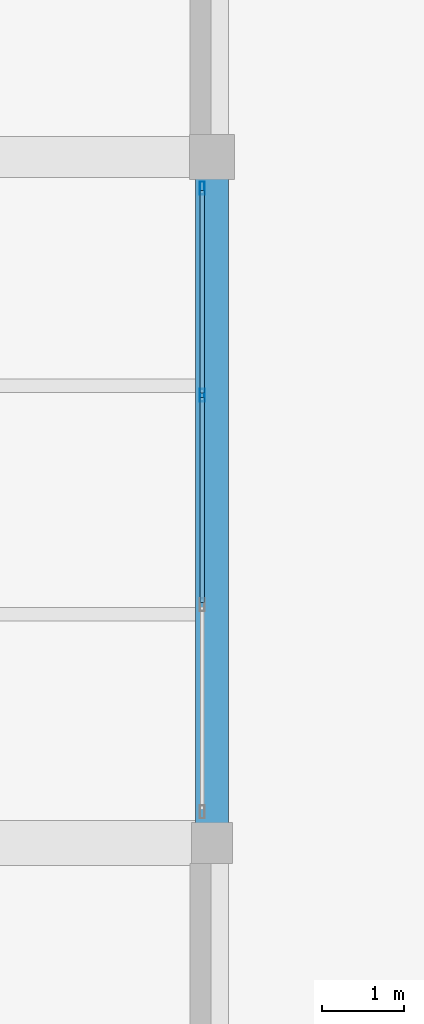
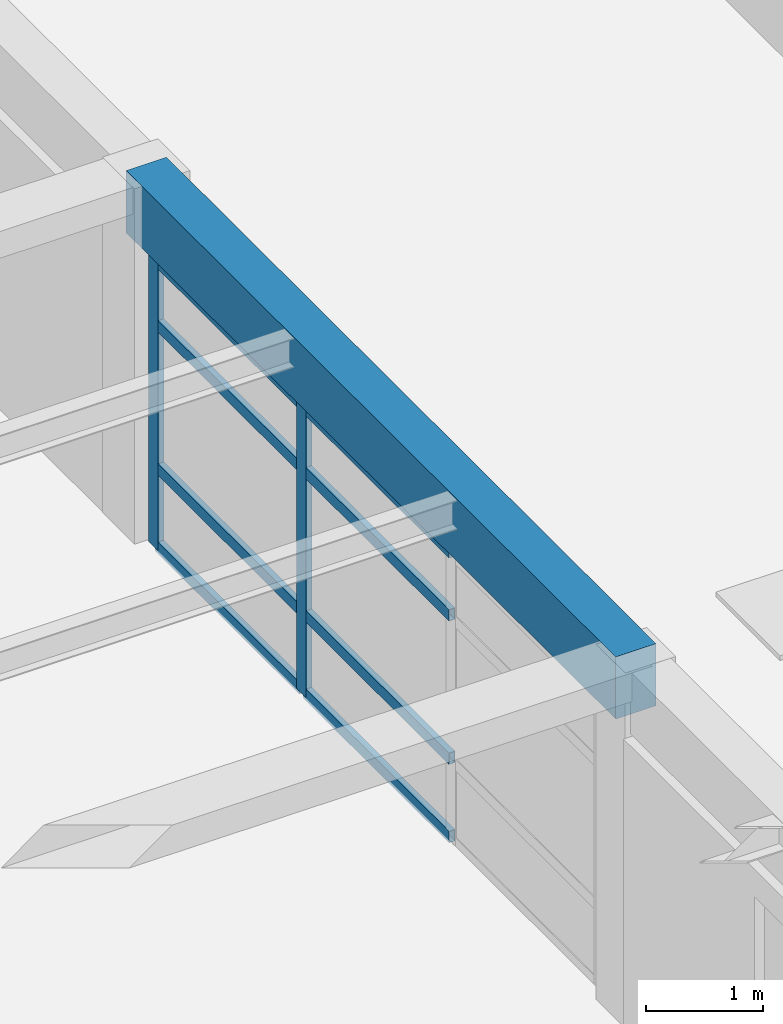
# One storey, part 16 of 22: 10 members, 1 beam, 1 element without a shape of its own.
"""IFC4 building model written with IfcOpenShell, lengths in metres."""

from ifc_helpers import new_model, si_unit, direction, frame, origin, origin_2d, place, context, subcontext, project, spatial, rectangle, hollow_rectangle, extrude, material, material_profile, profile_set, type_object, element, aggregate, save


model = new_model("IFC4")

# Units and contexts
model_context = context("Model", 3, precision=1e-05, world=origin(), true_north=direction((0.0, 1.0)))
body_context = subcontext(model_context, "Body", "Model", "MODEL_VIEW")
ifc_project = project(units=[si_unit("LENGTHUNIT", "METRE"), si_unit("AREAUNIT", "SQUARE_METRE"), si_unit("VOLUMEUNIT", "CUBIC_METRE"), si_unit("PLANEANGLEUNIT", "RADIAN"), si_unit("MASSUNIT", "GRAM", prefix="KILO")], contexts=[model_context])

# Site, building, storey
site_placement = place(None, origin())
site = spatial("IfcSite", under=ifc_project, at=site_placement, CompositionType="ELEMENT")
building_placement = place(site_placement, origin())
building = spatial("IfcBuilding", under=site, at=building_placement, Name="Almacenes y Pasaje Nevantli", CompositionType="ELEMENT")
storey_placement = place(building_placement, frame((0.0, 0.0, 58.699951171875)))
storey = spatial("IfcBuildingStorey", under=building, at=storey_placement, Name="L14", CompositionType="ELEMENT", Elevation=58.699951171875)

# Beam
ifc_material_1 = material(Name="Concrete C35/45", Category="concrete")
ifc_material_profile_1 = material_profile(ifc_material_1, rectangle(XDim=0.39990234375, YDim=0.64990234375, at=origin_2d()), Name="RC-BM-400x650")
ifc_profile_set_1 = profile_set([ifc_material_profile_1], Name="Concrete C35/45")
beam_type = type_object("IfcBeamType", Name="BM-RC-400x650", PredefinedType="SPANDREL", material=ifc_profile_set_1)
beam_placement = place(storey_placement, frame((151.199951171875, 75.60009765625, 3.39501953125), z_axis=(0.0, 1.0, 0.0), x_axis=(-1.0, 0.0, 0.0)))
element("IfcBeam", 1, at=beam_placement, inside=storey, type_object=beam_type, Name="L14 North-South Reinforced Concrete Beam #4012", PredefinedType="SPANDREL", context=body_context, shape_type="SweptSolid", body=[
    extrude(rectangle(XDim=0.39990234375, YDim=0.64990234375, at=origin_2d()), origin(), (0.0, 0.0, 1.0), 8.39990234375),
])

# Curtain wall, members
ifc_material_2 = material(Name="Thermally Broken Aluminium and Low-E Glass", Category="aluminium")
curtain_wall_type = type_object("IfcCurtainWallType", Name="CW-UNIT-TOWER", PredefinedType="USERDEFINED", material=ifc_material_2)
curtain_wall_placement = place(storey_placement, origin())
curtain_wall = element("IfcCurtainWall", 2, at=curtain_wall_placement, inside=storey, type_object=curtain_wall_type, Name="L14 Tower East Curtain Wall Bay 10", ObjectType="UNITIZED CURTAIN WALL", PredefinedType="USERDEFINED")
ifc_material_3 = material(Name="Thermally Broken Anodized Aluminium", Category="aluminium")
ifc_material_profile_2 = material_profile(ifc_material_3, hollow_rectangle(XDim=0.06005859375, YDim=0.159912109375, WallThickness=0.00390625, at=origin_2d()), Name="ALU-MUL-60x160")
ifc_profile_set_2 = profile_set([ifc_material_profile_2], Name="Thermally Broken Anodized Aluminium")
member_type_1 = type_object("IfcMemberType", Name="CW-MUL-180", PredefinedType="MULLION", material=ifc_profile_set_2)
member_1_placement = place(storey_placement, frame((151.080078125, 81.083251953125, 0.0), z_axis=(0.0, 0.0, 1.0), x_axis=(-1.0, 0.0, 0.0)))
member_1 = element("IfcMember", 3, at=member_1_placement, type_object=member_type_1, Name="CW-L14-182 mullion 3", PredefinedType="MULLION", context=body_context, shape_type="SweptSolid", body=[
    extrude(hollow_rectangle(XDim=0.06005859375, YDim=0.159912109375, WallThickness=0.00390625, at=origin_2d()), origin(), (0.0, 0.0, 1.0), 3.0400390625),
])
member_2_placement = place(storey_placement, frame((151.080078125, 83.6201171875, 0.0), z_axis=(0.0, 0.0, 1.0), x_axis=(-1.0, 0.0, 0.0)))
member_2 = element("IfcMember", 4, at=member_2_placement, type_object=member_type_1, Name="CW-L14-182 mullion 4", PredefinedType="MULLION", context=body_context, shape_type="SweptSolid", body=[
    extrude(hollow_rectangle(XDim=0.06005859375, YDim=0.159912109375, WallThickness=0.00390625, at=origin_2d()), origin(), (0.0, 0.0, 1.0), 3.0400390625),
])
ifc_material_4 = material(Name="Thermally Broken Anodized Aluminium", Category="aluminium")
ifc_material_profile_3 = material_profile(ifc_material_4, hollow_rectangle(XDim=0.06005859375, YDim=0.1201171875, WallThickness=0.00341796875, at=origin_2d()), Name="ALU-TRN-60x120")
ifc_profile_set_3 = profile_set([ifc_material_profile_3], Name="Thermally Broken Anodized Aluminium")
member_type_2 = type_object("IfcMemberType", Name="CW-TRN-130", PredefinedType="USERDEFINED", material=ifc_profile_set_3)
member_3_placement = place(storey_placement, frame((151.080078125, 78.546630859375, 0.030029296875), z_axis=(0.0, 1.0, 0.0), x_axis=(-1.0, 0.0, 0.0)))
member_3 = element("IfcMember", 5, at=member_3_placement, type_object=member_type_2, Name="CW-L14-182 transom 2.1", ObjectType="TRANSOM", PredefinedType="USERDEFINED", context=body_context, shape_type="SweptSolid", body=[
    extrude(hollow_rectangle(XDim=0.06005859375, YDim=0.1201171875, WallThickness=0.00341796875, at=origin_2d()), origin(), (0.0, 0.0, 1.0), 2.506591796875),
])
member_4_placement = place(storey_placement, frame((151.080078125, 78.546630859375, 0.85009765625), z_axis=(0.0, 1.0, 0.0), x_axis=(-1.0, 0.0, 0.0)))
member_4 = element("IfcMember", 6, at=member_4_placement, type_object=member_type_2, Name="CW-L14-182 transom 2.2", ObjectType="TRANSOM", PredefinedType="USERDEFINED", context=body_context, shape_type="SweptSolid", body=[
    extrude(hollow_rectangle(XDim=0.06005859375, YDim=0.1201171875, WallThickness=0.00341796875, at=origin_2d()), origin(), (0.0, 0.0, 1.0), 2.506591796875),
])
member_5_placement = place(storey_placement, frame((151.080078125, 78.546630859375, 2.35009765625), z_axis=(0.0, 1.0, 0.0), x_axis=(-1.0, 0.0, 0.0)))
member_5 = element("IfcMember", 7, at=member_5_placement, type_object=member_type_2, Name="CW-L14-182 transom 2.3", ObjectType="TRANSOM", PredefinedType="USERDEFINED", context=body_context, shape_type="SweptSolid", body=[
    extrude(hollow_rectangle(XDim=0.06005859375, YDim=0.1201171875, WallThickness=0.00341796875, at=origin_2d()), origin(), (0.0, 0.0, 1.0), 2.506591796875),
])
member_6_placement = place(storey_placement, frame((151.080078125, 78.546630859375, 3.010009765625), z_axis=(0.0, 1.0, 0.0), x_axis=(-1.0, 0.0, 0.0)))
member_6 = element("IfcMember", 8, at=member_6_placement, type_object=member_type_2, Name="CW-L14-182 transom 2.4", ObjectType="TRANSOM", PredefinedType="USERDEFINED", context=body_context, shape_type="SweptSolid", body=[
    extrude(hollow_rectangle(XDim=0.06005859375, YDim=0.1201171875, WallThickness=0.00341796875, at=origin_2d()), origin(), (0.0, 0.0, 1.0), 2.506591796875),
])
member_7_placement = place(storey_placement, frame((151.080078125, 81.11328125, 0.030029296875), z_axis=(0.0, 1.0, 0.0), x_axis=(-1.0, 0.0, 0.0)))
member_7 = element("IfcMember", 9, at=member_7_placement, type_object=member_type_2, Name="CW-L14-182 transom 3.1", ObjectType="TRANSOM", PredefinedType="USERDEFINED", context=body_context, shape_type="SweptSolid", body=[
    extrude(hollow_rectangle(XDim=0.06005859375, YDim=0.1201171875, WallThickness=0.00341796875, at=origin_2d()), origin(), (0.0, 0.0, 1.0), 2.476806640625),
])
member_8_placement = place(storey_placement, frame((151.080078125, 81.11328125, 0.85009765625), z_axis=(0.0, 1.0, 0.0), x_axis=(-1.0, 0.0, 0.0)))
member_8 = element("IfcMember", 10, at=member_8_placement, type_object=member_type_2, Name="CW-L14-182 transom 3.2", ObjectType="TRANSOM", PredefinedType="USERDEFINED", context=body_context, shape_type="SweptSolid", body=[
    extrude(hollow_rectangle(XDim=0.06005859375, YDim=0.1201171875, WallThickness=0.00341796875, at=origin_2d()), origin(), (0.0, 0.0, 1.0), 2.476806640625),
])
member_9_placement = place(storey_placement, frame((151.080078125, 81.11328125, 2.35009765625), z_axis=(0.0, 1.0, 0.0), x_axis=(-1.0, 0.0, 0.0)))
member_9 = element("IfcMember", 11, at=member_9_placement, type_object=member_type_2, Name="CW-L14-182 transom 3.3", ObjectType="TRANSOM", PredefinedType="USERDEFINED", context=body_context, shape_type="SweptSolid", body=[
    extrude(hollow_rectangle(XDim=0.06005859375, YDim=0.1201171875, WallThickness=0.00341796875, at=origin_2d()), origin(), (0.0, 0.0, 1.0), 2.476806640625),
])
member_10_placement = place(storey_placement, frame((151.080078125, 81.11328125, 3.010009765625), z_axis=(0.0, 1.0, 0.0), x_axis=(-1.0, 0.0, 0.0)))
member_10 = element("IfcMember", 12, at=member_10_placement, type_object=member_type_2, Name="CW-L14-182 transom 3.4", ObjectType="TRANSOM", PredefinedType="USERDEFINED", context=body_context, shape_type="SweptSolid", body=[
    extrude(hollow_rectangle(XDim=0.06005859375, YDim=0.1201171875, WallThickness=0.00341796875, at=origin_2d()), origin(), (0.0, 0.0, 1.0), 2.476806640625),
])
aggregate(curtain_wall, [member_1, member_2, member_3, member_4, member_5, member_6, member_7, member_8, member_9, member_10])

save(model, "model.ifc")
